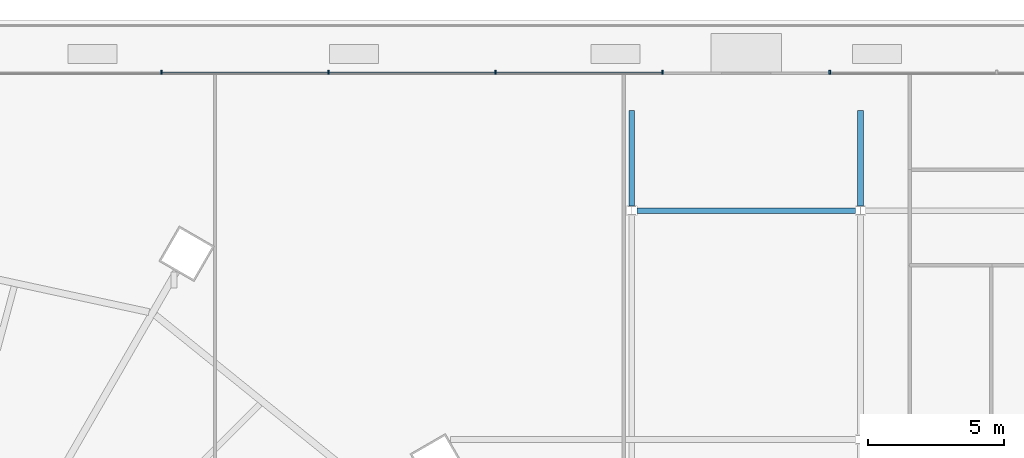
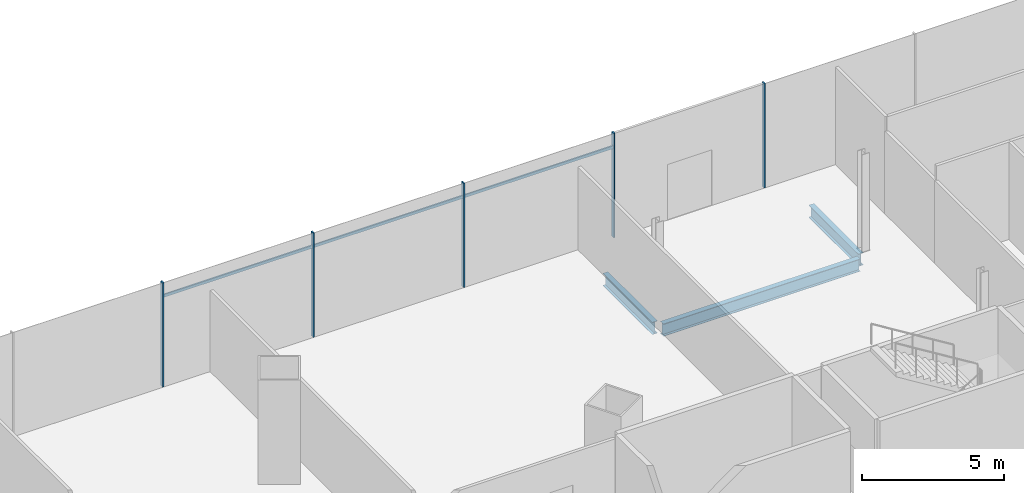
# One storey, part 19 of 49: 8 members, 3 beams, 1 element without a shape of its own.
"""IFC4 building model written with IfcOpenShell, lengths in metres."""

from ifc_helpers import new_model, si_unit, direction, frame, origin, origin_2d, place, context, subcontext, project, spatial, rectangle, i_section, extrude, material, material_profile, profile_set, type_object, element, aggregate, save


model = new_model("IFC4")

# Units and contexts
model_context = context("Model", 3, precision=1e-05, world=origin(), true_north=direction((0.0, 1.0)))
body_context = subcontext(model_context, "Body", "Model", "MODEL_VIEW")
ifc_project = project(units=[si_unit("LENGTHUNIT", "METRE"), si_unit("AREAUNIT", "SQUARE_METRE"), si_unit("VOLUMEUNIT", "CUBIC_METRE"), si_unit("PLANEANGLEUNIT", "RADIAN"), si_unit("MASSUNIT", "GRAM", prefix="KILO")], contexts=[model_context])

# Site, building, storey
site_placement = place(None, origin())
site = spatial("IfcSite", under=ifc_project, at=site_placement, CompositionType="ELEMENT")
building_placement = place(site_placement, origin())
building = spatial("IfcBuilding", under=site, at=building_placement, Name="Rimbun Link Towers", CompositionType="ELEMENT")
storey_placement = place(building_placement, frame((0.0, 0.0, 25.5)))
storey = spatial("IfcBuildingStorey", under=building, at=storey_placement, Name="L05", CompositionType="ELEMENT", Elevation=25.5)

# Curtain wall, members
ifc_material_1 = material(Name="Aluminium 6063-T6 and low-iron glass", Category="aluminium")
curtain_wall_type = type_object("IfcCurtainWallType", Name="CW3 podium shopfront", PredefinedType="NOTDEFINED", material=ifc_material_1)
curtain_wall_placement = place(storey_placement, origin())
curtain_wall = element("IfcCurtainWall", 1, at=curtain_wall_placement, inside=storey, type_object=curtain_wall_type, Name="CW3 L05 PD", PredefinedType="NOTDEFINED")
ifc_material_2 = material(Name="Aluminium 6063-T6", Category="aluminium")
ifc_material_profile_1 = material_profile(ifc_material_2, rectangle(XDim=0.14990234375, YDim=0.06005859375, at=origin_2d()), Name="MULLION 60X150")
ifc_profile_set_1 = profile_set([ifc_material_profile_1], Name="Aluminium 6063-T6")
member_type_1 = type_object("IfcMemberType", Name="CW3 mullion 60X150", PredefinedType="MULLION", material=ifc_profile_set_1)
member_1_placement = place(storey_placement, frame((3.066650390625, 26.074951171875, 0.0), z_axis=(0.0, 0.0, 1.0), x_axis=(0.0, 1.0, 0.0)))
member_1 = element("IfcMember", 2, at=member_1_placement, type_object=member_type_1, Name="CW3 mullion", PredefinedType="MULLION", context=body_context, shape_type="SweptSolid", body=[
    extrude(rectangle(XDim=0.14990234375, YDim=0.06005859375, at=origin_2d()), origin(), (0.0, 0.0, 1.0), 4.5),
])
member_2_placement = place(storey_placement, frame((-3.066650390625, 26.074951171875, 0.0), z_axis=(0.0, 0.0, 1.0), x_axis=(0.0, 1.0, 0.0)))
member_2 = element("IfcMember", 3, at=member_2_placement, type_object=member_type_1, Name="CW3 mullion", PredefinedType="MULLION", context=body_context, shape_type="SweptSolid", body=[
    extrude(rectangle(XDim=0.14990234375, YDim=0.06005859375, at=origin_2d()), origin(), (0.0, 0.0, 1.0), 4.5),
])
member_3_placement = place(storey_placement, frame((-9.199951171875, 26.074951171875, 0.0), z_axis=(0.0, 0.0, 1.0), x_axis=(0.0, 1.0, 0.0)))
member_3 = element("IfcMember", 4, at=member_3_placement, type_object=member_type_1, Name="CW3 mullion", PredefinedType="MULLION", context=body_context, shape_type="SweptSolid", body=[
    extrude(rectangle(XDim=0.14990234375, YDim=0.06005859375, at=origin_2d()), origin(), (0.0, 0.0, 1.0), 4.5),
])
member_4_placement = place(storey_placement, frame((-15.333251953125, 26.074951171875, 0.0), z_axis=(0.0, 0.0, 1.0), x_axis=(0.0, 1.0, 0.0)))
member_4 = element("IfcMember", 5, at=member_4_placement, type_object=member_type_1, Name="CW3 mullion", PredefinedType="MULLION", context=body_context, shape_type="SweptSolid", body=[
    extrude(rectangle(XDim=0.14990234375, YDim=0.06005859375, at=origin_2d()), origin(), (0.0, 0.0, 1.0), 4.5),
])
member_5_placement = place(storey_placement, frame((-21.466552734375, 26.074951171875, 0.0), z_axis=(0.0, 0.0, 1.0), x_axis=(0.0, 1.0, 0.0)))
member_5 = element("IfcMember", 6, at=member_5_placement, type_object=member_type_1, Name="CW3 mullion", PredefinedType="MULLION", context=body_context, shape_type="SweptSolid", body=[
    extrude(rectangle(XDim=0.14990234375, YDim=0.06005859375, at=origin_2d()), origin(), (0.0, 0.0, 1.0), 4.5),
])
ifc_material_3 = material(Name="Aluminium 6063-T6", Category="aluminium")
ifc_material_profile_2 = material_profile(ifc_material_3, rectangle(XDim=0.06005859375, YDim=0.1201171875, at=origin_2d()), Name="TRANSOM 60X120")
ifc_profile_set_2 = profile_set([ifc_material_profile_2], Name="Aluminium 6063-T6")
member_type_2 = type_object("IfcMemberType", Name="CW3 transom 60X120", PredefinedType="USERDEFINED", material=ifc_profile_set_2)
member_6_placement = place(storey_placement, frame((-9.169921875, 26.053955078125, 3.89990234375), z_axis=(1.0, 0.0, 0.0), x_axis=(0.0, 1.0, 0.0)))
member_6 = element("IfcMember", 7, at=member_6_placement, type_object=member_type_2, Name="CW3 transom", ObjectType="TRANSOM", PredefinedType="USERDEFINED", context=body_context, shape_type="SweptSolid", body=[
    extrude(rectangle(XDim=0.06005859375, YDim=0.1201171875, at=origin_2d()), origin(), (0.0, 0.0, 1.0), 6.0732421875),
])
member_7_placement = place(storey_placement, frame((-15.30322265625, 26.053955078125, 3.89990234375), z_axis=(1.0, 0.0, 0.0), x_axis=(0.0, 1.0, 0.0)))
member_7 = element("IfcMember", 8, at=member_7_placement, type_object=member_type_2, Name="CW3 transom", ObjectType="TRANSOM", PredefinedType="USERDEFINED", context=body_context, shape_type="SweptSolid", body=[
    extrude(rectangle(XDim=0.06005859375, YDim=0.1201171875, at=origin_2d()), origin(), (0.0, 0.0, 1.0), 6.0732421875),
])
member_8_placement = place(storey_placement, frame((-21.436767578125, 26.053955078125, 3.89990234375), z_axis=(1.0, 0.0, 0.0), x_axis=(0.0, 1.0, 0.0)))
member_8 = element("IfcMember", 9, at=member_8_placement, type_object=member_type_2, Name="CW3 transom", ObjectType="TRANSOM", PredefinedType="USERDEFINED", context=body_context, shape_type="SweptSolid", body=[
    extrude(rectangle(XDim=0.06005859375, YDim=0.1201171875, at=origin_2d()), origin(), (0.0, 0.0, 1.0), 6.073486328125),
])
aggregate(curtain_wall, [member_1, member_2, member_3, member_4, member_5, member_6, member_7, member_8])

# Beams
ifc_material_4 = material(Name="Steel S355J2", Category="steel")
ifc_material_profile_3 = material_profile(ifc_material_4, i_section(OverallWidth=0.209228515625, OverallDepth=0.533203125, WebThickness=0.010009765625, FlangeThickness=0.015625, at=origin_2d()), Name="UB 533x210x92")
ifc_profile_set_3 = profile_set([ifc_material_profile_3], Name="Steel S355J2")
beam_type = type_object("IfcBeamType", Name="UB 533x210x92", PredefinedType="BEAM", material=ifc_profile_set_3)
beam_placement = place(storey_placement, frame((-4.0146484375, 21.0, -0.56640625), z_axis=(1.0, 0.0, 0.0), x_axis=(0.0, 1.0, 0.0)))
element("IfcBeam", 10, at=beam_placement, inside=storey, type_object=beam_type, Name="Grid beam L05 +21.0", PredefinedType="BEAM", context=body_context, shape_type="SweptSolid", body=[
    extrude(i_section(OverallWidth=0.209228515625, OverallDepth=0.533203125, WebThickness=0.010009765625, FlangeThickness=0.015625, at=origin_2d()), origin(), (0.0, 0.0, 1.0), 8.029296875),
])
for number, where, z_axis, x_axis, name in (
    (11, (-4.199951171875, 21.180908203125, -0.56640625), (0.0, 1.0, 0.0), (-1.0, 0.0, 0.0), "Grid beam L05 -4.2"),
    (12, (4.199951171875, 21.180908203125, -0.56640625), (0.0, 1.0, 0.0), (-1.0, 0.0, 0.0), "Grid beam L05 +4.2"),
):
    element("IfcBeam", number, at=place(storey_placement, frame(where, z_axis=z_axis, x_axis=x_axis)), inside=storey, type_object=beam_type, Name=name, PredefinedType="BEAM", context=body_context, shape_type="SweptSolid", body=[
        extrude(i_section(OverallWidth=0.209228515625, OverallDepth=0.533203125, WebThickness=0.010009765625, FlangeThickness=0.015625, at=origin_2d()), origin(), (0.0, 0.0, 1.0), 3.5),
    ])

save(model, "model.ifc")
